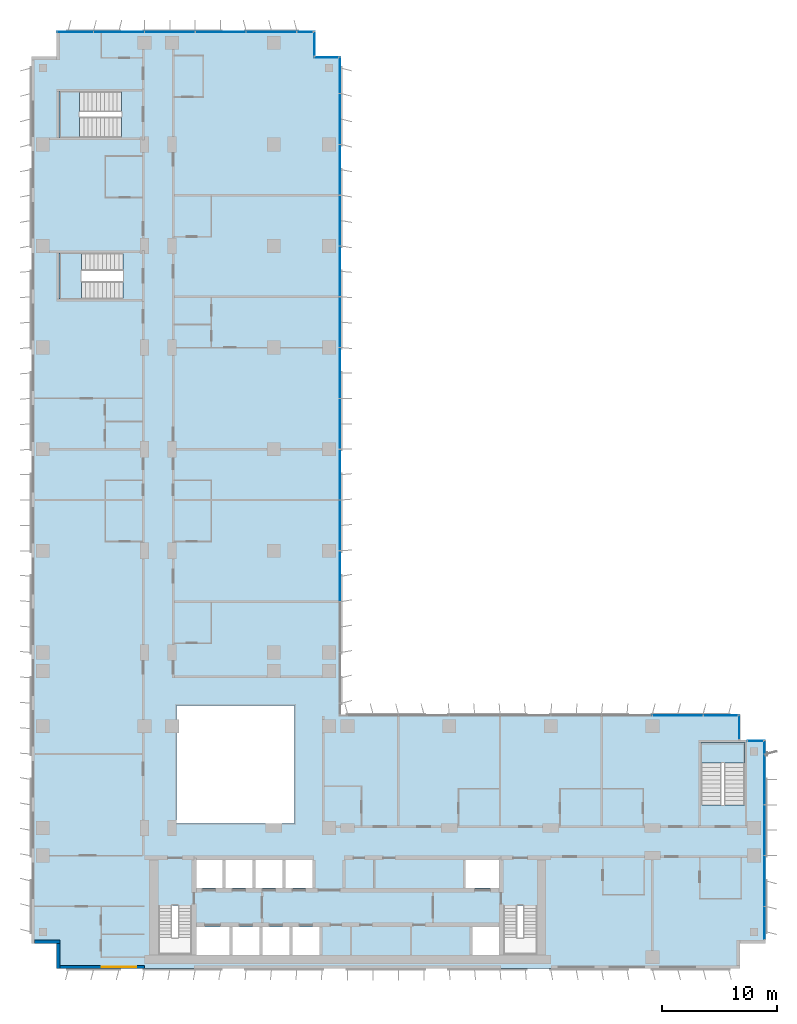
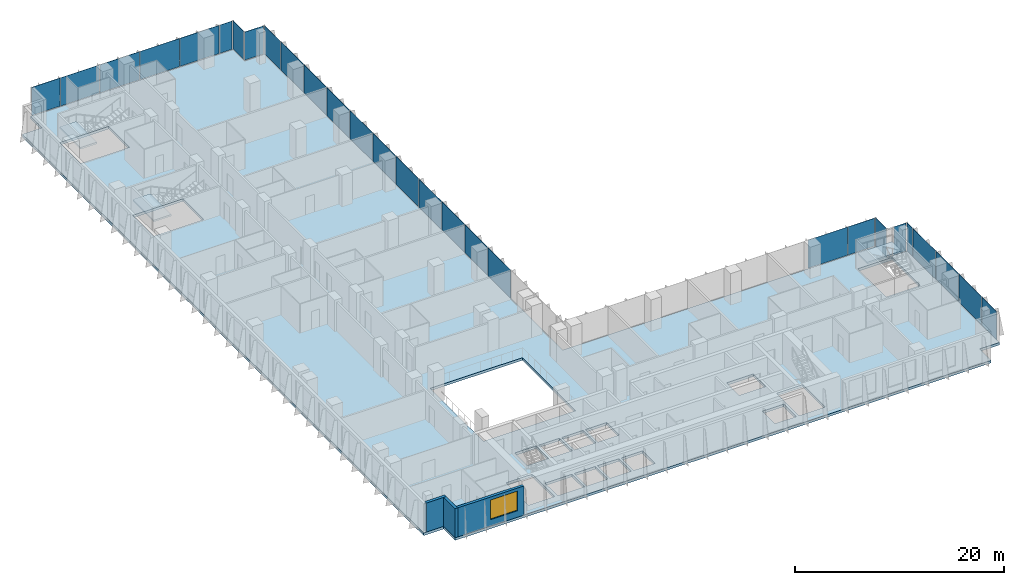
# One storey, part 11 of 22: 28 plates, 4 slabs, 3 walls, 1 window, 1 opening, 11 elements without a shape of their own.
"""IFC4 building model written with IfcOpenShell, lengths in metres."""

from ifc_helpers import new_model, si_unit, direction, frame, frame_2d, origin, origin_2d, place, context, subcontext, project, spatial, polyline, rectangle, outline, extrude, source, transform, mapped, material, layer, layer_set, type_object, element, fill, aggregate, save


model = new_model("IFC4")

# Units and contexts
model_context = context("Model", 3, precision=1e-05, world=origin(), true_north=direction((0.0, 1.0)))
body_context = subcontext(model_context, "Body", "Model", "MODEL_VIEW")
ifc_project = project(units=[si_unit("LENGTHUNIT", "METRE"), si_unit("AREAUNIT", "SQUARE_METRE"), si_unit("VOLUMEUNIT", "CUBIC_METRE"), si_unit("PLANEANGLEUNIT", "RADIAN"), si_unit("MASSUNIT", "GRAM", prefix="KILO")], contexts=[model_context])

# Site, building, storey
site_placement = place(None, origin())
site = spatial("IfcSite", under=ifc_project, at=site_placement, CompositionType="ELEMENT")
building_placement = place(site_placement, origin())
building = spatial("IfcBuilding", under=site, at=building_placement, Name="Kemantara Hotel Tower", CompositionType="ELEMENT")
storey_placement = place(building_placement, frame((0.0, 0.0, 125.89990234375)))
storey = spatial("IfcBuildingStorey", under=building, at=storey_placement, Name="L30", CompositionType="ELEMENT", Elevation=125.89990234375)

# Slab
ifc_material_1 = material(Name="Concrete fc 40 MPa", Category="concrete")
ifc_layer_1 = layer(ifc_material_1, 0.300048828125)
ifc_layer_set_1 = layer_set([ifc_layer_1], Name="Concrete fc 40 MPa")
slab_type_1 = type_object("IfcSlabType", Name="POST-TENSIONED FLAT PLATE 300", PredefinedType="FLOOR", material=ifc_layer_set_1)
slab_1_placement = place(storey_placement, frame((0.0, 0.0, -0.2998046875)))
element("IfcSlab", 1, at=slab_1_placement, inside=storey, type_object=slab_type_1, Name="FLOOR SLAB L30", PredefinedType="FLOOR", context=body_context, shape_type="SweptSolid", body=[
    extrude(outline(polyline([(26.800048828125, 79.0), (24.60009765625, 79.0), (24.60009765625, 81.199951171875), (2.199951171875, 81.199951171875), (2.199951171875, 79.0), (0.0, 79.0), (0.0, 2.199951171875), (2.199951171875, 2.199951171875), (2.199951171875, 0.0), (61.39990234375, 0.0), (61.39990234375, 2.199951171875), (63.60009765625, 2.199951171875), (63.60009765625, 19.800048828125), (61.39990234375, 19.800048828125), (61.39990234375, 22.0), (26.800048828125, 22.0), (26.800048828125, 79.0)]), holes=[polyline([(17.175048828125, 1.199951171875), (14.22509765625, 1.199951171875), (14.22509765625, 3.60009765625), (17.175048828125, 3.60009765625), (17.175048828125, 1.199951171875)]), polyline([(19.77490234375, 1.199951171875), (17.425048828125, 1.199951171875), (17.425048828125, 3.60009765625), (19.77490234375, 3.60009765625), (19.77490234375, 1.199951171875)]), polyline([(11.0, 1.199951171875), (11.0, 5.49951171875), (13.89990234375, 5.49951171875), (13.89990234375, 1.199951171875), (11.0, 1.199951171875)]), polyline([(16.574951171875, 7.0), (14.22509765625, 7.0), (14.22509765625, 9.39990234375), (16.574951171875, 9.39990234375), (16.574951171875, 7.0)]), polyline([(19.175048828125, 7.0), (16.824951171875, 7.0), (16.824951171875, 9.39990234375), (19.175048828125, 9.39990234375), (19.175048828125, 7.0)]), polyline([(22.800048828125, 12.60009765625), (12.60009765625, 12.60009765625), (12.60009765625, 22.800048828125), (22.800048828125, 22.800048828125), (22.800048828125, 12.60009765625)]), polyline([(2.39990234375, 62.0), (7.949462890625, 62.0), (7.949462890625, 58.0), (2.39990234375, 58.0), (2.39990234375, 62.0)]), polyline([(2.39990234375, 76.0), (7.79931640625, 76.0), (7.79931640625, 72.0), (2.39990234375, 72.0), (2.39990234375, 76.0)]), polyline([(22.375, 1.199951171875), (20.02490234375, 1.199951171875), (20.02490234375, 3.60009765625), (22.375, 3.60009765625), (22.375, 1.199951171875)]), polyline([(24.97509765625, 1.199951171875), (22.625, 1.199951171875), (22.625, 3.60009765625), (24.97509765625, 3.60009765625), (24.97509765625, 1.199951171875)]), polyline([(40.574951171875, 1.199951171875), (38.22509765625, 1.199951171875), (38.22509765625, 3.60009765625), (40.574951171875, 3.60009765625), (40.574951171875, 1.199951171875)]), polyline([(40.89990234375, 1.199951171875), (40.89990234375, 5.49951171875), (43.800048828125, 5.49951171875), (43.800048828125, 1.199951171875), (40.89990234375, 1.199951171875)]), polyline([(21.77490234375, 7.0), (19.425048828125, 7.0), (19.425048828125, 9.39990234375), (21.77490234375, 9.39990234375), (21.77490234375, 7.0)]), polyline([(24.375, 7.0), (22.02490234375, 7.0), (22.02490234375, 9.39990234375), (24.375, 9.39990234375), (24.375, 7.0)]), polyline([(40.574951171875, 7.0), (37.625, 7.0), (37.625, 9.39990234375), (40.574951171875, 9.39990234375), (40.574951171875, 7.0)]), polyline([(61.800048828125, 19.60009765625), (61.800048828125, 14.20068359375), (58.0, 14.20068359375), (58.0, 19.60009765625), (61.800048828125, 19.60009765625)])]), origin(), (0.0, 0.0, 1.0), 0.2998046875),
])

# Stair, slab
stair_type_1 = type_object("IfcStairType", Name="Stair 1800 wide 22 risers of 168 x 360 mm", PredefinedType="HALF_TURN_STAIR", material=ifc_material_1)
stair_1_placement = place(storey_placement, origin())
stair_1 = element("IfcStair", 2, at=stair_1_placement, inside=storey, type_object=stair_type_1, Name="L30 Exit stair ST3", PredefinedType="HALF_TURN_STAIR")
ifc_layer_2 = layer(ifc_material_1, 0.199951171875)
ifc_layer_set_2 = layer_set([ifc_layer_2], Name="Concrete fc 40 MPa")
slab_type_2 = type_object("IfcSlabType", Name="Stair landing 200 mm", PredefinedType="LANDING", material=ifc_layer_set_2)
slab_2_placement = place(storey_placement, frame((0.0, 0.0, 1.650146484375)))
slab_2 = element("IfcSlab", 3, at=slab_2_placement, type_object=slab_type_2, Name="ST3 landing 1", PredefinedType="LANDING", context=body_context, shape_type="SweptSolid", body=[
    extrude(outline(polyline([(61.800048828125, 17.800048828125), (61.800048828125, 19.60009765625), (58.0, 19.60009765625), (58.0, 17.800048828125), (61.800048828125, 17.800048828125)])), origin(), (0.0, 0.0, 1.0), 0.199951171875),
])
aggregate(stair_1, [slab_2])

stair_type_2 = type_object("IfcStairType", Name="Stair 1550 wide 22 risers of 168 x 360 mm", PredefinedType="HALF_TURN_STAIR", material=ifc_material_1)
stair_2_placement = place(storey_placement, origin())
stair_2 = element("IfcStair", 4, at=stair_2_placement, inside=storey, type_object=stair_type_2, Name="L30 Exit stair ST4", PredefinedType="HALF_TURN_STAIR")
slab_3_placement = place(storey_placement, frame((0.0, 0.0, 1.650146484375)))
slab_3 = element("IfcSlab", 5, at=slab_3_placement, type_object=slab_type_2, Name="ST4 landing 1", PredefinedType="LANDING", context=body_context, shape_type="SweptSolid", body=[
    extrude(outline(polyline([(4.35009765625, 62.0), (2.39990234375, 62.0), (2.39990234375, 58.0), (4.35009765625, 58.0), (4.35009765625, 62.0)])), origin(), (0.0, 0.0, 1.0), 0.199951171875),
])
aggregate(stair_2, [slab_3])

stair_3_placement = place(storey_placement, origin())
stair_3 = element("IfcStair", 6, at=stair_3_placement, inside=storey, type_object=stair_type_1, Name="L30 Exit stair ST6", PredefinedType="HALF_TURN_STAIR")
slab_4_placement = place(storey_placement, frame((0.0, 0.0, 1.650146484375)))
slab_4 = element("IfcSlab", 7, at=slab_4_placement, type_object=slab_type_2, Name="ST6 landing 1", PredefinedType="LANDING", context=body_context, shape_type="SweptSolid", body=[
    extrude(outline(polyline([(4.199951171875, 76.0), (2.39990234375, 76.0), (2.39990234375, 72.0), (4.199951171875, 72.0), (4.199951171875, 76.0)])), origin(), (0.0, 0.0, 1.0), 0.199951171875),
])
aggregate(stair_3, [slab_4])

# Curtain wall, plate
ifc_material_2 = material(Name="Low-E tinted double insulated glass 36 mm", Category="glass")
curtain_wall_type = type_object("IfcCurtainWallType", Name="TOWER CURTAIN WALL, FRONT FACES", PredefinedType="USERDEFINED", material=ifc_material_2)
curtain_wall_1_placement = place(storey_placement, origin())
curtain_wall_1 = element("IfcCurtainWall", 8, at=curtain_wall_1_placement, inside=storey, type_object=curtain_wall_type, Name="CW4 L30 T2-R10-1", ObjectType="TOWER CURTAIN WALL, FRONT FACES", PredefinedType="USERDEFINED")
ifc_layer_3 = layer(ifc_material_2, 0.035888671875)
ifc_layer_set_3 = layer_set([ifc_layer_3], Name="Low-E tinted double insulated glass 36 mm")
plate_type = type_object("IfcPlateType", Name="TOWER CURTAIN WALL, FRONT FACES PANEL", PredefinedType="CURTAIN_PANEL", material=ifc_layer_set_3)
shared_shape_1 = source(origin(), body_context, "Body", "SweptSolid", [
    extrude(rectangle(XDim=2.81005859375, YDim=0.035888671875, at=origin_2d()), origin(), (0.0, 0.0, 1.0), 3.280029296875),
])
plate_1_placement = place(storey_placement, frame((63.52490234375, 3.965087890625, 0.1201171875), z_axis=(0.0, 0.0, 1.0), x_axis=(0.0, 1.0, 0.0)))
plate_1 = element("IfcPlate", 9, at=plate_1_placement, type_object=plate_type, Name="CW4 glass panel T2-R10-1.1", PredefinedType="CURTAIN_PANEL", context=body_context, shape_type="MappedRepresentation", body=[
    mapped(shared_shape_1, transform((0.0, 0.0, 0.0))),
])

# Curtain wall, plates
curtain_wall_2_placement = place(storey_placement, origin())
curtain_wall_2 = element("IfcCurtainWall", 10, at=curtain_wall_2_placement, inside=storey, type_object=curtain_wall_type, Name="CW4 L30 T2-R01-1", ObjectType="TOWER CURTAIN WALL, FRONT FACES", PredefinedType="USERDEFINED")
shared_shape_2 = source(origin(), body_context, "Body", "SweptSolid", [
    extrude(rectangle(XDim=4.340087890625, YDim=0.035888671875, at=origin_2d()), origin(), (0.0, 0.0, 1.0), 3.280029296875),
])
plate_2_placement = place(storey_placement, frame((20.800048828125, 81.125, 0.1201171875), z_axis=(0.0, 0.0, 1.0), x_axis=(-1.0, 0.0, 0.0)))
plate_2 = element("IfcPlate", 11, at=plate_2_placement, type_object=plate_type, Name="CW4 glass panel T2-R01-1.2", PredefinedType="CURTAIN_PANEL", context=body_context, shape_type="MappedRepresentation", body=[
    mapped(shared_shape_2, transform((0.0, 0.0, 0.0))),
])
plate_3_placement = place(storey_placement, frame((16.39990234375, 81.125, 0.1201171875), z_axis=(0.0, 0.0, 1.0), x_axis=(-1.0, 0.0, 0.0)))
plate_3 = element("IfcPlate", 12, at=plate_3_placement, type_object=plate_type, Name="CW4 glass panel T2-R01-1.3", PredefinedType="CURTAIN_PANEL", context=body_context, shape_type="MappedRepresentation", body=[
    mapped(shared_shape_2, transform((0.0, 0.0, 0.0))),
])
plate_4_placement = place(storey_placement, frame((12.0, 81.125, 0.1201171875), z_axis=(0.0, 0.0, 1.0), x_axis=(-1.0, 0.0, 0.0)))
plate_4 = element("IfcPlate", 13, at=plate_4_placement, type_object=plate_type, Name="CW4 glass panel T2-R01-1.4", PredefinedType="CURTAIN_PANEL", context=body_context, shape_type="MappedRepresentation", body=[
    mapped(shared_shape_2, transform((0.0, 0.0, 0.0))),
])
plate_5_placement = place(storey_placement, frame((7.60009765625, 81.125, 0.1201171875), z_axis=(0.0, 0.0, 1.0), x_axis=(-1.0, 0.0, 0.0)))
plate_5 = element("IfcPlate", 14, at=plate_5_placement, type_object=plate_type, Name="CW4 glass panel T2-R01-1.5", PredefinedType="CURTAIN_PANEL", context=body_context, shape_type="MappedRepresentation", body=[
    mapped(shared_shape_2, transform((0.0, 0.0, 0.0))),
])

# Plate
plate_6_placement = place(storey_placement, frame((63.52490234375, 7.60009765625, 0.1201171875), z_axis=(0.0, 0.0, 1.0), x_axis=(0.0, 1.0, 0.0)))
plate_6 = element("IfcPlate", 15, at=plate_6_placement, type_object=plate_type, Name="CW4 glass panel T2-R10-1.2", PredefinedType="CURTAIN_PANEL", context=body_context, shape_type="MappedRepresentation", body=[
    mapped(shared_shape_2, transform((0.0, 0.0, 0.0))),
])

plate_7_placement = place(storey_placement, frame((63.52490234375, 12.0, 0.1201171875), z_axis=(0.0, 0.0, 1.0), x_axis=(0.0, 1.0, 0.0)))
plate_7 = element("IfcPlate", 16, at=plate_7_placement, type_object=plate_type, Name="CW4 glass panel T2-R10-1.3", PredefinedType="CURTAIN_PANEL", context=body_context, shape_type="MappedRepresentation", body=[
    mapped(shared_shape_2, transform((0.0, 0.0, 0.0))),
])

plate_8_placement = place(storey_placement, frame((63.52490234375, 16.39990234375, 0.1201171875), z_axis=(0.0, 0.0, 1.0), x_axis=(0.0, 1.0, 0.0)))
plate_8 = element("IfcPlate", 17, at=plate_8_placement, type_object=plate_type, Name="CW4 glass panel T2-R10-1.4", PredefinedType="CURTAIN_PANEL", context=body_context, shape_type="MappedRepresentation", body=[
    mapped(shared_shape_2, transform((0.0, 0.0, 0.0))),
])

# Curtain wall, plate
curtain_wall_3_placement = place(storey_placement, origin())
curtain_wall_3 = element("IfcCurtainWall", 18, at=curtain_wall_3_placement, inside=storey, type_object=curtain_wall_type, Name="CW4 L30 T2-R13-1", ObjectType="TOWER CURTAIN WALL, FRONT FACES", PredefinedType="USERDEFINED")
plate_9_placement = place(storey_placement, frame((56.0, 21.925048828125, 0.1201171875), z_axis=(0.0, 0.0, 1.0), x_axis=(-1.0, 0.0, 0.0)))
plate_9 = element("IfcPlate", 19, at=plate_9_placement, type_object=plate_type, Name="CW4 glass panel T2-R13-1.2", PredefinedType="CURTAIN_PANEL", context=body_context, shape_type="MappedRepresentation", body=[
    mapped(shared_shape_2, transform((0.0, 0.0, 0.0))),
])

# Curtain wall, plates
curtain_wall_4_placement = place(storey_placement, origin())
curtain_wall_4 = element("IfcCurtainWall", 20, at=curtain_wall_4_placement, inside=storey, type_object=curtain_wall_type, Name="CW4 L30 T2-R14-1", ObjectType="TOWER CURTAIN WALL, FRONT FACES", PredefinedType="USERDEFINED")
plate_10_placement = place(storey_placement, frame((26.72509765625, 34.0, 0.1201171875), z_axis=(0.0, 0.0, 1.0), x_axis=(0.0, 1.0, 0.0)))
plate_10 = element("IfcPlate", 21, at=plate_10_placement, type_object=plate_type, Name="CW4 glass panel T2-R14-1.4", PredefinedType="CURTAIN_PANEL", context=body_context, shape_type="MappedRepresentation", body=[
    mapped(shared_shape_2, transform((0.0, 0.0, 0.0))),
])
plate_11_placement = place(storey_placement, frame((26.72509765625, 38.39990234375, 0.1201171875), z_axis=(0.0, 0.0, 1.0), x_axis=(0.0, 1.0, 0.0)))
plate_11 = element("IfcPlate", 22, at=plate_11_placement, type_object=plate_type, Name="CW4 glass panel T2-R14-1.5", PredefinedType="CURTAIN_PANEL", context=body_context, shape_type="MappedRepresentation", body=[
    mapped(shared_shape_2, transform((0.0, 0.0, 0.0))),
])
plate_12_placement = place(storey_placement, frame((26.72509765625, 42.800048828125, 0.1201171875), z_axis=(0.0, 0.0, 1.0), x_axis=(0.0, 1.0, 0.0)))
plate_12 = element("IfcPlate", 23, at=plate_12_placement, type_object=plate_type, Name="CW4 glass panel T2-R14-1.6", PredefinedType="CURTAIN_PANEL", context=body_context, shape_type="MappedRepresentation", body=[
    mapped(shared_shape_2, transform((0.0, 0.0, 0.0))),
])
plate_13_placement = place(storey_placement, frame((26.72509765625, 47.199951171875, 0.1201171875), z_axis=(0.0, 0.0, 1.0), x_axis=(0.0, 1.0, 0.0)))
plate_13 = element("IfcPlate", 24, at=plate_13_placement, type_object=plate_type, Name="CW4 glass panel T2-R14-1.7", PredefinedType="CURTAIN_PANEL", context=body_context, shape_type="MappedRepresentation", body=[
    mapped(shared_shape_2, transform((0.0, 0.0, 0.0))),
])
plate_14_placement = place(storey_placement, frame((26.72509765625, 51.60009765625, 0.1201171875), z_axis=(0.0, 0.0, 1.0), x_axis=(0.0, 1.0, 0.0)))
plate_14 = element("IfcPlate", 25, at=plate_14_placement, type_object=plate_type, Name="CW4 glass panel T2-R14-1.8", PredefinedType="CURTAIN_PANEL", context=body_context, shape_type="MappedRepresentation", body=[
    mapped(shared_shape_2, transform((0.0, 0.0, 0.0))),
])
plate_15_placement = place(storey_placement, frame((26.72509765625, 56.0, 0.1201171875), z_axis=(0.0, 0.0, 1.0), x_axis=(0.0, 1.0, 0.0)))
plate_15 = element("IfcPlate", 26, at=plate_15_placement, type_object=plate_type, Name="CW4 glass panel T2-R14-1.9", PredefinedType="CURTAIN_PANEL", context=body_context, shape_type="MappedRepresentation", body=[
    mapped(shared_shape_2, transform((0.0, 0.0, 0.0))),
])
plate_16_placement = place(storey_placement, frame((26.72509765625, 60.39990234375, 0.1201171875), z_axis=(0.0, 0.0, 1.0), x_axis=(0.0, 1.0, 0.0)))
plate_16 = element("IfcPlate", 27, at=plate_16_placement, type_object=plate_type, Name="CW4 glass panel T2-R14-1.10", PredefinedType="CURTAIN_PANEL", context=body_context, shape_type="MappedRepresentation", body=[
    mapped(shared_shape_2, transform((0.0, 0.0, 0.0))),
])
plate_17_placement = place(storey_placement, frame((26.72509765625, 64.800048828125, 0.1201171875), z_axis=(0.0, 0.0, 1.0), x_axis=(0.0, 1.0, 0.0)))
plate_17 = element("IfcPlate", 28, at=plate_17_placement, type_object=plate_type, Name="CW4 glass panel T2-R14-1.11", PredefinedType="CURTAIN_PANEL", context=body_context, shape_type="MappedRepresentation", body=[
    mapped(shared_shape_2, transform((0.0, 0.0, 0.0))),
])
plate_18_placement = place(storey_placement, frame((26.72509765625, 69.199951171875, 0.1201171875), z_axis=(0.0, 0.0, 1.0), x_axis=(0.0, 1.0, 0.0)))
plate_18 = element("IfcPlate", 29, at=plate_18_placement, type_object=plate_type, Name="CW4 glass panel T2-R14-1.12", PredefinedType="CURTAIN_PANEL", context=body_context, shape_type="MappedRepresentation", body=[
    mapped(shared_shape_2, transform((0.0, 0.0, 0.0))),
])
plate_19_placement = place(storey_placement, frame((26.72509765625, 73.60009765625, 0.1201171875), z_axis=(0.0, 0.0, 1.0), x_axis=(0.0, 1.0, 0.0)))
plate_19 = element("IfcPlate", 30, at=plate_19_placement, type_object=plate_type, Name="CW4 glass panel T2-R14-1.13", PredefinedType="CURTAIN_PANEL", context=body_context, shape_type="MappedRepresentation", body=[
    mapped(shared_shape_2, transform((0.0, 0.0, 0.0))),
])

# Plate
shared_shape_3 = source(origin(), body_context, "Body", "SweptSolid", [
    extrude(rectangle(XDim=1.360107421875, YDim=0.035888671875, at=origin_2d()), origin(), (0.0, 0.0, 1.0), 3.280029296875),
])
plate_20_placement = place(storey_placement, frame((23.7099609375, 81.125, 0.1201171875), z_axis=(0.0, 0.0, 1.0), x_axis=(-1.0, 0.0, 0.0)))
plate_20 = element("IfcPlate", 31, at=plate_20_placement, type_object=plate_type, Name="CW4 glass panel T2-R01-1.1", PredefinedType="CURTAIN_PANEL", context=body_context, shape_type="MappedRepresentation", body=[
    mapped(shared_shape_3, transform((0.0, 0.0, 0.0))),
])

shared_shape_4 = source(origin(), body_context, "Body", "SweptSolid", [
    extrude(rectangle(XDim=3.110107421875, YDim=0.035888671875, at=origin_2d()), origin(), (0.0, 0.0, 1.0), 3.280029296875),
])
plate_21_placement = place(storey_placement, frame((3.81494140625, 81.125, 0.1201171875), z_axis=(0.0, 0.0, 1.0), x_axis=(-1.0, 0.0, 0.0)))
plate_21 = element("IfcPlate", 32, at=plate_21_placement, type_object=plate_type, Name="CW4 glass panel T2-R01-1.6", PredefinedType="CURTAIN_PANEL", context=body_context, shape_type="MappedRepresentation", body=[
    mapped(shared_shape_4, transform((0.0, 0.0, 0.0))),
])

aggregate(curtain_wall_2, [plate_20, plate_2, plate_3, plate_4, plate_5, plate_21])

plate_22_placement = place(storey_placement, frame((26.72509765625, 77.385009765625, 0.1201171875), z_axis=(0.0, 0.0, 1.0), x_axis=(0.0, 1.0, 0.0)))
plate_22 = element("IfcPlate", 33, at=plate_22_placement, type_object=plate_type, Name="CW4 glass panel T2-R14-1.14", PredefinedType="CURTAIN_PANEL", context=body_context, shape_type="MappedRepresentation", body=[
    mapped(shared_shape_4, transform((0.0, 0.0, 0.0))),
])

aggregate(curtain_wall_4, [plate_10, plate_11, plate_12, plate_13, plate_14, plate_15, plate_16, plate_17, plate_18, plate_19, plate_22])

# Curtain wall, plate
curtain_wall_5_placement = place(storey_placement, origin())
curtain_wall_5 = element("IfcCurtainWall", 34, at=curtain_wall_5_placement, inside=storey, type_object=curtain_wall_type, Name="CW4 L30 T2-R00-1", ObjectType="TOWER CURTAIN WALL, FRONT FACES", PredefinedType="USERDEFINED")
shared_shape_5 = source(origin(), body_context, "Body", "SweptSolid", [
    extrude(rectangle(XDim=2.080078125, YDim=0.035888671875, at=origin_2d()), origin(), (0.0, 0.0, 1.0), 3.280029296875),
])
plate_23_placement = place(storey_placement, frame((24.52490234375, 80.10009765625, 0.1201171875), z_axis=(0.0, 0.0, 1.0), x_axis=(0.0, 1.0, 0.0)))
plate_23 = element("IfcPlate", 35, at=plate_23_placement, type_object=plate_type, Name="CW4 glass panel T2-R00-1.1", PredefinedType="CURTAIN_PANEL", context=body_context, shape_type="MappedRepresentation", body=[
    mapped(shared_shape_5, transform((0.0, 0.0, 0.0))),
])
aggregate(curtain_wall_5, [plate_23])

curtain_wall_6_placement = place(storey_placement, origin())
curtain_wall_6 = element("IfcCurtainWall", 36, at=curtain_wall_6_placement, inside=storey, type_object=curtain_wall_type, Name="CW4 L30 T2-R12-1", ObjectType="TOWER CURTAIN WALL, FRONT FACES", PredefinedType="USERDEFINED")
plate_24_placement = place(storey_placement, frame((61.324951171875, 20.89990234375, 0.1201171875), z_axis=(0.0, 0.0, 1.0), x_axis=(0.0, 1.0, 0.0)))
plate_24 = element("IfcPlate", 37, at=plate_24_placement, type_object=plate_type, Name="CW4 glass panel T2-R12-1.1", PredefinedType="CURTAIN_PANEL", context=body_context, shape_type="MappedRepresentation", body=[
    mapped(shared_shape_5, transform((0.0, 0.0, 0.0))),
])
aggregate(curtain_wall_6, [plate_24])

curtain_wall_7_placement = place(storey_placement, origin())
curtain_wall_7 = element("IfcCurtainWall", 38, at=curtain_wall_7_placement, inside=storey, type_object=curtain_wall_type, Name="CW4 L30 T2-R15-1", ObjectType="TOWER CURTAIN WALL, FRONT FACES", PredefinedType="USERDEFINED")
plate_25_placement = place(storey_placement, frame((25.550048828125, 78.925048828125, 0.1201171875), z_axis=(0.0, 0.0, 1.0), x_axis=(-1.0, 0.0, 0.0)))
plate_25 = element("IfcPlate", 39, at=plate_25_placement, type_object=plate_type, Name="CW4 glass panel T2-R15-1.1", PredefinedType="CURTAIN_PANEL", context=body_context, shape_type="MappedRepresentation", body=[
    mapped(shared_shape_5, transform((0.0, 0.0, 0.0))),
])
aggregate(curtain_wall_7, [plate_25])

# Plate
shared_shape_6 = source(origin(), body_context, "Body", "SweptSolid", [
    extrude(rectangle(XDim=2.9599609375, YDim=0.035888671875, at=origin_2d()), origin(), (0.0, 0.0, 1.0), 3.280029296875),
])
plate_26_placement = place(storey_placement, frame((59.7099609375, 21.925048828125, 0.1201171875), z_axis=(0.0, 0.0, 1.0), x_axis=(-1.0, 0.0, 0.0)))
plate_26 = element("IfcPlate", 40, at=plate_26_placement, type_object=plate_type, Name="CW4 glass panel T2-R13-1.1", PredefinedType="CURTAIN_PANEL", context=body_context, shape_type="MappedRepresentation", body=[
    mapped(shared_shape_6, transform((0.0, 0.0, 0.0))),
])

aggregate(curtain_wall_3, [plate_26, plate_9])

shared_shape_7 = source(origin(), body_context, "Body", "SweptSolid", [
    extrude(rectangle(XDim=1.110107421875, YDim=0.035888671875, at=origin_2d()), origin(), (0.0, 0.0, 1.0), 3.280029296875),
])
plate_27_placement = place(storey_placement, frame((63.52490234375, 19.18505859375, 0.1201171875), z_axis=(0.0, 0.0, 1.0), x_axis=(0.0, 1.0, 0.0)))
plate_27 = element("IfcPlate", 41, at=plate_27_placement, type_object=plate_type, Name="CW4 glass panel T2-R10-1.5", PredefinedType="CURTAIN_PANEL", context=body_context, shape_type="MappedRepresentation", body=[
    mapped(shared_shape_7, transform((0.0, 0.0, 0.0))),
])

aggregate(curtain_wall_1, [plate_1, plate_6, plate_7, plate_8, plate_27])

# Curtain wall, plate
curtain_wall_8_placement = place(storey_placement, origin())
curtain_wall_8 = element("IfcCurtainWall", 42, at=curtain_wall_8_placement, inside=storey, type_object=curtain_wall_type, Name="CW4 L30 T2-R11-1", ObjectType="TOWER CURTAIN WALL, FRONT FACES", PredefinedType="USERDEFINED")
shared_shape_8 = source(origin(), body_context, "Body", "SweptSolid", [
    extrude(rectangle(XDim=1.330078125, YDim=0.035888671875, at=origin_2d()), origin(), (0.0, 0.0, 1.0), 3.280029296875),
])
plate_28_placement = place(storey_placement, frame((62.72509765625, 19.72509765625, 0.1201171875), z_axis=(0.0, 0.0, 1.0), x_axis=(-1.0, 0.0, 0.0)))
plate_28 = element("IfcPlate", 43, at=plate_28_placement, type_object=plate_type, Name="CW4 glass panel T2-R11-1.1", PredefinedType="CURTAIN_PANEL", context=body_context, shape_type="MappedRepresentation", body=[
    mapped(shared_shape_8, transform((0.0, 0.0, 0.0))),
])
aggregate(curtain_wall_8, [plate_28])

# Walls
ifc_material_3 = material(Name="Bronze anodised aluminium cladding on insulated steel stud wall", Category="steel")
ifc_layer_4 = layer(ifc_material_3, 0.300048828125)
ifc_layer_set_4 = layer_set([ifc_layer_4], Name="Bronze anodised aluminium cladding on insulated steel stud wall")
wall_type = type_object("IfcWallType", Name="BRONZE METAL-CLAD EXTERNAL WALL 300", PredefinedType="STANDARD", material=ifc_layer_set_4)
for number, where, z_axis, x_axis, name in (
    (44, (0.300048828125, 2.35009765625, 0.0), (0.0, 0.0, 1.0), (1.0, 0.0, 0.0), "EXTERNAL WALL L30 T2-R05"),
    (45, (2.35009765625, 2.199951171875, 0.0), (0.0, 0.0, 1.0), (0.0, -1.0, 0.0), "EXTERNAL WALL L30 T2-R06"),
):
    element("IfcWall", number, at=place(storey_placement, frame(where, z_axis=z_axis, x_axis=x_axis)), inside=storey, type_object=wall_type, Name=name, PredefinedType="STANDARD", context=body_context, shape_type="SweptSolid", body=[
        extrude(rectangle(XDim=2.199951171875, YDim=0.300048828125, at=frame_2d((1.10009765625, 0.0))), origin(), (0.0, 0.0, 1.0), 3.400146484375),
    ])

# Wall, opening, window
wall_placement = place(storey_placement, frame((2.5, 0.14990234375, 0.0), z_axis=(0.0, 0.0, 1.0), x_axis=(1.0, 0.0, 0.0)))
wall = element("IfcWall", 46, at=wall_placement, inside=storey, type_object=wall_type, Name="EXTERNAL WALL L30 T2-R07", PredefinedType="STANDARD", context=body_context, shape_type="SweptSolid", body=[
    extrude(rectangle(XDim=7.300048828125, YDim=0.300048828125, at=frame_2d((3.64990234375, 0.0))), origin(), (0.0, 0.0, 1.0), 3.400146484375),
])
opening_placement = place(wall_placement, frame((3.60009765625, 0.0, 0.75)))
opening = element("IfcOpeningElement", 47, at=opening_placement, cuts=wall, Name="Opening W1", PredefinedType="OPENING", context=body_context, shape_type="SweptSolid", body=[
    extrude(rectangle(XDim=3.0, YDim=2.300048828125, at=frame_2d((1.5, 1.14990234375))), frame((0.0, 0.159912109375, 0.0), z_axis=(0.0, -1.0, 0.0), x_axis=(1.0, 0.0, 0.0)), (0.0, 0.0, 1.0), 0.320068359375),
])
ifc_material_4 = material(Name="Low-E tinted double insulated glass in bronze anodised aluminium frame", Category="aluminium")
window_type = type_object("IfcWindowType", Name="CHICAGO WINDOW, TRIPLE PANEL 3000x2300", PartitioningType="TRIPLE_PANEL_VERTICAL", PredefinedType="WINDOW", material=ifc_material_4)
window_placement = place(opening_placement, origin())
window = element("IfcWindow", 48, at=window_placement, inside=storey, type_object=window_type, Name="CHICAGO WINDOW L30 T2-R07-54", OverallHeight=2.300048828125, OverallWidth=3.0, PartitioningType="SINGLE_PANEL", PredefinedType="WINDOW", context=body_context, shape_type="SweptSolid", body=[
    extrude(rectangle(XDim=3.0, YDim=2.300048828125, at=frame_2d((1.5, 1.14990234375))), frame((0.0, 0.030029296875, 0.0), z_axis=(0.0, -1.0, 0.0), x_axis=(1.0, 0.0, 0.0)), (0.0, 0.0, 1.0), 0.06005859375),
])
fill(opening, window)

save(model, "model.ifc")
